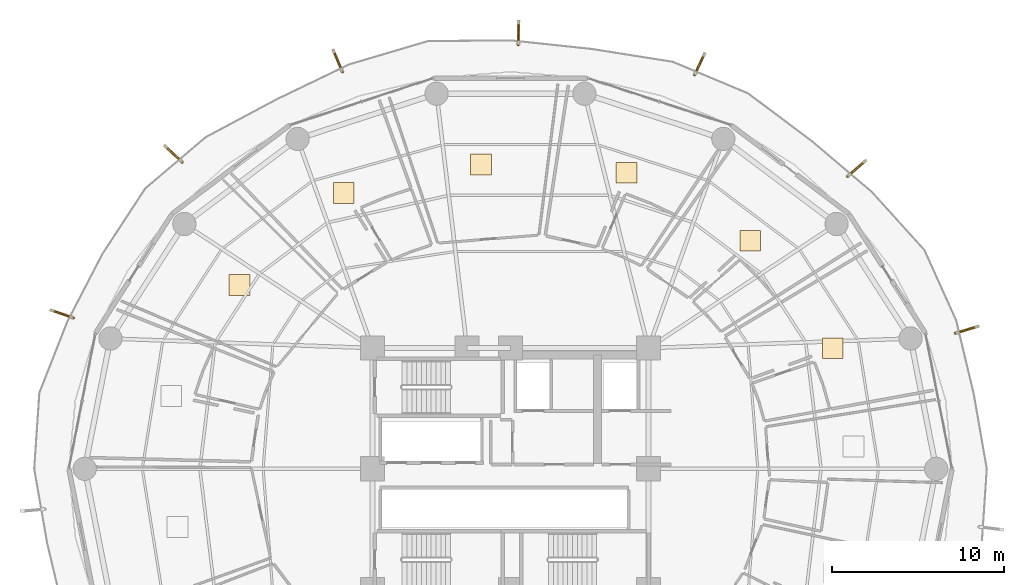
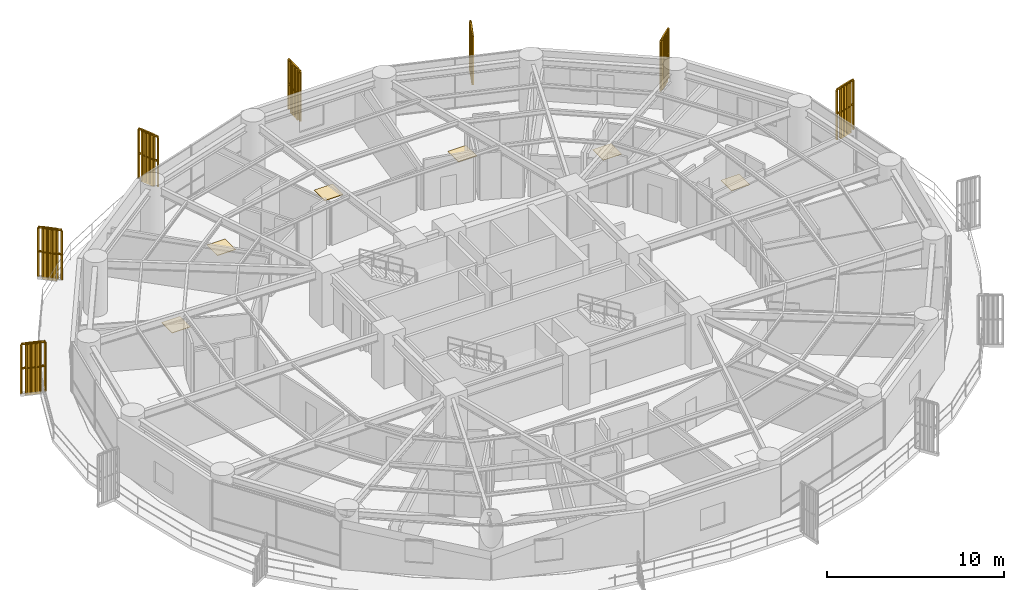
# One storey, part 33 of 33: 7 railings, 7 shading devices, 6 coverings.
"""IFC4 building model written with IfcOpenShell, lengths in metres."""

from ifc_helpers import new_model, si_unit, direction, frame, origin, origin_2d, place, context, subcontext, project, spatial, polyline, rectangle, outline, extrude, source, transform, mapped, material, layer, layer_set, type_object, element, save


model = new_model("IFC4")

# Units and contexts
model_context = context("Model", 3, precision=1e-05, world=origin(), true_north=direction((0.0, 1.0)))
body_context = subcontext(model_context, "Body", "Model", "MODEL_VIEW")
ifc_project = project(units=[si_unit("LENGTHUNIT", "METRE"), si_unit("AREAUNIT", "SQUARE_METRE"), si_unit("VOLUMEUNIT", "CUBIC_METRE"), si_unit("PLANEANGLEUNIT", "RADIAN"), si_unit("MASSUNIT", "GRAM", prefix="KILO")], contexts=[model_context])

# Site, building, storey
site_placement = place(None, origin())
site = spatial("IfcSite", under=ifc_project, at=site_placement, CompositionType="ELEMENT")
building_placement = place(site_placement, origin())
building = spatial("IfcBuilding", under=site, at=building_placement, Name="Kelanora Arch Commons", CompositionType="ELEMENT")
storey_placement = place(building_placement, frame((0.0, 0.0, 80.10009765625)))
storey = spatial("IfcBuildingStorey", under=building, at=storey_placement, Name="L20", CompositionType="ELEMENT", Elevation=80.10009765625)

# Railings
ifc_material_1 = material(Name="Anodised bronze vertical shading fin rib assembly")
railing_type = type_object("IfcRailingType", Name="RAIL-FIN-BRZ", PredefinedType="BALUSTRADE", material=ifc_material_1)
railing_1_placement = place(storey_placement, frame((93.5419921875, 74.955810546875, -0.02001953125)))
element("IfcRailing", 1, at=railing_1_placement, inside=storey, type_object=railing_type, Name="Sweeping Bronze Vertical Fin Blade L20-00", PredefinedType="BALUSTRADE", context=body_context, shape_type="SweptSolid", body=[
    extrude(outline(polyline([(0.06982421875, 0.0), (0.034912109375, 0.060546875), (-0.034912109375, 0.060546875), (-0.06982421875, 0.0), (-0.034912109375, -0.060546875), (0.034912109375, -0.060546875), (0.06982421875, 0.0)])), frame((0.0, 0.0, 3.419921875), z_axis=(0.755197189168, 0.655497677702, 0.0), x_axis=(-0.655497677702, 0.755197189168, 0.0)), (0.0, 0.0, 1.0), 1.376220703125),
    extrude(outline(polyline([(0.06982421875, 0.0), (0.034912109375, 0.060546875), (-0.034912109375, 0.060546875), (-0.06982421875, 0.0), (-0.034912109375, -0.060546875), (0.034912109375, -0.060546875), (0.06982421875, 0.0)])), frame((0.0, 0.0, 1.7451171875), z_axis=(0.755197189168, 0.655497677702, 0.0), x_axis=(-0.655497677702, 0.755197189168, 0.0)), (0.0, 0.0, 1.0), 1.376220703125),
    extrude(outline(polyline([(0.080078125, 0.0), (0.0400390625, 0.0693359375), (-0.0400390625, 0.0693359375), (-0.080078125, 0.0), (-0.0400390625, -0.0693359375), (0.0400390625, -0.0693359375), (0.080078125, 0.0)])), origin(), (0.0, 0.0, 1.0), 3.35009765625),
    extrude(outline(polyline([(0.080078125, 0.0), (0.0400390625, 0.0693359375), (-0.0400390625, 0.0693359375), (-0.080078125, 0.0), (-0.0400390625, -0.0693359375), (0.0400390625, -0.0693359375), (0.080078125, 0.0)])), frame((0.207763671875, 0.180419921875, 0.0)), (0.0, 0.0, 1.0), 3.35009765625),
    extrude(outline(polyline([(0.080078125, 0.0), (0.0400390625, 0.0693359375), (-0.0400390625, 0.0693359375), (-0.080078125, 0.0), (-0.0400390625, -0.0693359375), (0.0400390625, -0.0693359375), (0.080078125, 0.0)])), frame((0.415771484375, 0.36083984375, 0.0)), (0.0, 0.0, 1.0), 3.35009765625),
    extrude(outline(polyline([(0.080078125, 0.0), (0.0400390625, 0.0693359375), (-0.0400390625, 0.0693359375), (-0.080078125, 0.0), (-0.0400390625, -0.0693359375), (0.0400390625, -0.0693359375), (0.080078125, 0.0)])), frame((0.62353515625, 0.541259765625, 0.0)), (0.0, 0.0, 1.0), 3.35009765625),
    extrude(outline(polyline([(0.080078125, 0.0), (0.0400390625, 0.0693359375), (-0.0400390625, 0.0693359375), (-0.080078125, 0.0), (-0.0400390625, -0.0693359375), (0.0400390625, -0.0693359375), (0.080078125, 0.0)])), frame((0.83154296875, 0.7216796875, 0.0)), (0.0, 0.0, 1.0), 3.35009765625),
    extrude(outline(polyline([(0.080078125, 0.0), (0.0400390625, 0.0693359375), (-0.0400390625, 0.0693359375), (-0.080078125, 0.0), (-0.0400390625, -0.0693359375), (0.0400390625, -0.0693359375), (0.080078125, 0.0)])), frame((1.039306640625, 0.902099609375, 0.0)), (0.0, 0.0, 1.0), 3.35009765625),
])
railing_2_placement = place(storey_placement, frame((84.670654296875, 80.828125, -0.02001953125)))
element("IfcRailing", 2, at=railing_2_placement, inside=storey, type_object=railing_type, Name="Sweeping Bronze Vertical Fin Blade L20-01", PredefinedType="BALUSTRADE", context=body_context, shape_type="SweptSolid", body=[
    extrude(outline(polyline([(0.06982421875, 0.0), (0.034912109375, 0.060546875), (-0.034912109375, 0.060546875), (-0.06982421875, 0.0), (-0.034912109375, -0.060546875), (0.034912109375, -0.060546875), (0.06982421875, 0.0)])), frame((0.0, 0.0, 3.419921875), z_axis=(0.423429211615, 0.905929193012, 0.0), x_axis=(-0.905929193012, 0.423429211615, 0.0)), (0.0, 0.0, 1.0), 1.376220703125),
    extrude(outline(polyline([(0.06982421875, 0.0), (0.034912109375, 0.060546875), (-0.034912109375, 0.060546875), (-0.06982421875, 0.0), (-0.034912109375, -0.060546875), (0.034912109375, -0.060546875), (0.06982421875, 0.0)])), frame((0.0, 0.0, 1.7451171875), z_axis=(0.423429211615, 0.905929193012, 0.0), x_axis=(-0.905929193012, 0.423429211615, 0.0)), (0.0, 0.0, 1.0), 1.376220703125),
    extrude(outline(polyline([(0.080078125, 0.0), (0.0400390625, 0.0693359375), (-0.0400390625, 0.0693359375), (-0.080078125, 0.0), (-0.0400390625, -0.0693359375), (0.0400390625, -0.0693359375), (0.080078125, 0.0)])), origin(), (0.0, 0.0, 1.0), 3.35009765625),
    extrude(outline(polyline([(0.080078125, 0.0), (0.0400390625, 0.0693359375), (-0.0400390625, 0.0693359375), (-0.080078125, 0.0), (-0.0400390625, -0.0693359375), (0.0400390625, -0.0693359375), (0.080078125, 0.0)])), frame((0.116455078125, 0.249267578125, 0.0)), (0.0, 0.0, 1.0), 3.35009765625),
    extrude(outline(polyline([(0.080078125, 0.0), (0.0400390625, 0.0693359375), (-0.0400390625, 0.0693359375), (-0.080078125, 0.0), (-0.0400390625, -0.0693359375), (0.0400390625, -0.0693359375), (0.080078125, 0.0)])), frame((0.233154296875, 0.498779296875, 0.0)), (0.0, 0.0, 1.0), 3.35009765625),
    extrude(outline(polyline([(0.080078125, 0.0), (0.0400390625, 0.0693359375), (-0.0400390625, 0.0693359375), (-0.080078125, 0.0), (-0.0400390625, -0.0693359375), (0.0400390625, -0.0693359375), (0.080078125, 0.0)])), frame((0.349609375, 0.748046875, 0.0)), (0.0, 0.0, 1.0), 3.35009765625),
    extrude(outline(polyline([(0.080078125, 0.0), (0.0400390625, 0.0693359375), (-0.0400390625, 0.0693359375), (-0.080078125, 0.0), (-0.0400390625, -0.0693359375), (0.0400390625, -0.0693359375), (0.080078125, 0.0)])), frame((0.46630859375, 0.99755859375, 0.0)), (0.0, 0.0, 1.0), 3.35009765625),
    extrude(outline(polyline([(0.080078125, 0.0), (0.0400390625, 0.0693359375), (-0.0400390625, 0.0693359375), (-0.080078125, 0.0), (-0.0400390625, -0.0693359375), (0.0400390625, -0.0693359375), (0.080078125, 0.0)])), frame((0.582763671875, 1.246826171875, 0.0)), (0.0, 0.0, 1.0), 3.35009765625),
])
railing_3_placement = place(storey_placement, frame((74.45166015625, 82.572998046875, -0.02001953125)))
element("IfcRailing", 3, at=railing_3_placement, inside=storey, type_object=railing_type, Name="Sweeping Bronze Vertical Fin Blade L20-02", PredefinedType="BALUSTRADE", context=body_context, shape_type="SweptSolid", body=[
    extrude(outline(polyline([(0.06982421875, 0.0), (0.034912109375, 0.060546875), (-0.034912109375, 0.060546875), (-0.06982421875, 0.0), (-0.034912109375, -0.060546875), (0.034912109375, -0.060546875), (0.06982421875, 0.0)])), frame((0.0, 0.0, 3.419921875), z_axis=(0.018275563045, 0.999832987951, 0.0), x_axis=(-0.999832987951, 0.018275563045, 0.0)), (0.0, 0.0, 1.0), 1.3759765625),
    extrude(outline(polyline([(0.06982421875, 0.0), (0.034912109375, 0.060546875), (-0.034912109375, 0.060546875), (-0.06982421875, 0.0), (-0.034912109375, -0.060546875), (0.034912109375, -0.060546875), (0.06982421875, 0.0)])), frame((0.0, 0.0, 1.7451171875), z_axis=(0.018275563045, 0.999832987951, 0.0), x_axis=(-0.999832987951, 0.018275563045, 0.0)), (0.0, 0.0, 1.0), 1.3759765625),
    extrude(outline(polyline([(0.080078125, 0.0), (0.0400390625, 0.0693359375), (-0.0400390625, 0.0693359375), (-0.080078125, 0.0), (-0.0400390625, -0.0693359375), (0.0400390625, -0.0693359375), (0.080078125, 0.0)])), origin(), (0.0, 0.0, 1.0), 3.35009765625),
    extrude(outline(polyline([(0.080078125, 0.0), (0.0400390625, 0.0693359375), (-0.0400390625, 0.0693359375), (-0.080078125, 0.0), (-0.0400390625, -0.0693359375), (0.0400390625, -0.0693359375), (0.080078125, 0.0)])), frame((0.005126953125, 0.275146484375, 0.0)), (0.0, 0.0, 1.0), 3.35009765625),
    extrude(outline(polyline([(0.080078125, 0.0), (0.0400390625, 0.0693359375), (-0.0400390625, 0.0693359375), (-0.080078125, 0.0), (-0.0400390625, -0.0693359375), (0.0400390625, -0.0693359375), (0.080078125, 0.0)])), frame((0.010009765625, 0.55029296875, 0.0)), (0.0, 0.0, 1.0), 3.35009765625),
    extrude(outline(polyline([(0.080078125, 0.0), (0.0400390625, 0.0693359375), (-0.0400390625, 0.0693359375), (-0.080078125, 0.0), (-0.0400390625, -0.0693359375), (0.0400390625, -0.0693359375), (0.080078125, 0.0)])), frame((0.01513671875, 0.825439453125, 0.0)), (0.0, 0.0, 1.0), 3.35009765625),
    extrude(outline(polyline([(0.080078125, 0.0), (0.0400390625, 0.0693359375), (-0.0400390625, 0.0693359375), (-0.080078125, 0.0), (-0.0400390625, -0.0693359375), (0.0400390625, -0.0693359375), (0.080078125, 0.0)])), frame((0.02001953125, 1.1005859375, 0.0)), (0.0, 0.0, 1.0), 3.35009765625),
    extrude(outline(polyline([(0.080078125, 0.0), (0.0400390625, 0.0693359375), (-0.0400390625, 0.0693359375), (-0.080078125, 0.0), (-0.0400390625, -0.0693359375), (0.0400390625, -0.0693359375), (0.080078125, 0.0)])), frame((0.025146484375, 1.375732421875, 0.0)), (0.0, 0.0, 1.0), 3.35009765625),
])
railing_4_placement = place(storey_placement, frame((64.2568359375, 81.0126953125, -0.02001953125)))
element("IfcRailing", 4, at=railing_4_placement, inside=storey, type_object=railing_type, Name="Sweeping Bronze Vertical Fin Blade L20-03", PredefinedType="BALUSTRADE", context=body_context, shape_type="SweptSolid", body=[
    extrude(outline(polyline([(0.06982421875, 0.0), (0.034912109375, 0.060546875), (-0.034912109375, 0.060546875), (-0.06982421875, 0.0), (-0.034912109375, -0.060546875), (0.034912109375, -0.060546875), (0.06982421875, 0.0)])), frame((0.0, 0.0, 3.419921875), z_axis=(-0.389911963105, 0.920852138526, 0.0), x_axis=(-0.920852138526, -0.389911963105, 0.0)), (0.0, 0.0, 1.0), 1.376220703125),
    extrude(outline(polyline([(0.06982421875, 0.0), (0.034912109375, 0.060546875), (-0.034912109375, 0.060546875), (-0.06982421875, 0.0), (-0.034912109375, -0.060546875), (0.034912109375, -0.060546875), (0.06982421875, 0.0)])), frame((0.0, 0.0, 1.7451171875), z_axis=(-0.389911963105, 0.920852138526, 0.0), x_axis=(-0.920852138526, -0.389911963105, 0.0)), (0.0, 0.0, 1.0), 1.376220703125),
    extrude(outline(polyline([(0.080078125, 0.0), (0.0400390625, 0.0693359375), (-0.0400390625, 0.0693359375), (-0.080078125, 0.0), (-0.0400390625, -0.0693359375), (0.0400390625, -0.0693359375), (0.080078125, 0.0)])), origin(), (0.0, 0.0, 1.0), 3.35009765625),
    extrude(outline(polyline([(0.080078125, 0.0), (0.0400390625, 0.0693359375), (-0.0400390625, 0.0693359375), (-0.080078125, 0.0), (-0.0400390625, -0.0693359375), (0.0400390625, -0.0693359375), (0.080078125, 0.0)])), frame((-0.107421875, 0.25341796875, 0.0)), (0.0, 0.0, 1.0), 3.35009765625),
    extrude(outline(polyline([(0.080078125, 0.0), (0.0400390625, 0.0693359375), (-0.0400390625, 0.0693359375), (-0.080078125, 0.0), (-0.0400390625, -0.0693359375), (0.0400390625, -0.0693359375), (0.080078125, 0.0)])), frame((-0.214599609375, 0.5068359375, 0.0)), (0.0, 0.0, 1.0), 3.35009765625),
    extrude(outline(polyline([(0.080078125, 0.0), (0.0400390625, 0.0693359375), (-0.0400390625, 0.0693359375), (-0.080078125, 0.0), (-0.0400390625, -0.0693359375), (0.0400390625, -0.0693359375), (0.080078125, 0.0)])), frame((-0.322021484375, 0.760498046875, 0.0)), (0.0, 0.0, 1.0), 3.35009765625),
    extrude(outline(polyline([(0.080078125, 0.0), (0.0400390625, 0.0693359375), (-0.0400390625, 0.0693359375), (-0.080078125, 0.0), (-0.0400390625, -0.0693359375), (0.0400390625, -0.0693359375), (0.080078125, 0.0)])), frame((-0.42919921875, 1.013916015625, 0.0)), (0.0, 0.0, 1.0), 3.35009765625),
    extrude(outline(polyline([(0.080078125, 0.0), (0.0400390625, 0.0693359375), (-0.0400390625, 0.0693359375), (-0.080078125, 0.0), (-0.0400390625, -0.0693359375), (0.0400390625, -0.0693359375), (0.080078125, 0.0)])), frame((-0.53662109375, 1.267333984375, 0.0)), (0.0, 0.0, 1.0), 3.35009765625),
])
railing_5_placement = place(storey_placement, frame((54.9677734375, 75.781005859375, -0.02001953125)))
element("IfcRailing", 5, at=railing_5_placement, inside=storey, type_object=railing_type, Name="Sweeping Bronze Vertical Fin Blade L20-04", PredefinedType="BALUSTRADE", context=body_context, shape_type="SweptSolid", body=[
    extrude(outline(polyline([(0.06982421875, 0.0), (0.034912109375, 0.060546875), (-0.034912109375, 0.060546875), (-0.06982421875, 0.0), (-0.034912109375, -0.060546875), (0.034912109375, -0.060546875), (0.06982421875, 0.0)])), frame((0.0, 0.0, 3.419921875), z_axis=(-0.730736615698, 0.682659504056, 0.0), x_axis=(-0.682659504056, -0.730736615698, 0.0)), (0.0, 0.0, 1.0), 1.376220703125),
    extrude(outline(polyline([(0.06982421875, 0.0), (0.034912109375, 0.060546875), (-0.034912109375, 0.060546875), (-0.06982421875, 0.0), (-0.034912109375, -0.060546875), (0.034912109375, -0.060546875), (0.06982421875, 0.0)])), frame((0.0, 0.0, 1.7451171875), z_axis=(-0.730736615698, 0.682659504056, 0.0), x_axis=(-0.682659504056, -0.730736615698, 0.0)), (0.0, 0.0, 1.0), 1.376220703125),
    extrude(outline(polyline([(0.080078125, 0.0), (0.0400390625, 0.0693359375), (-0.0400390625, 0.0693359375), (-0.080078125, 0.0), (-0.0400390625, -0.0693359375), (0.0400390625, -0.0693359375), (0.080078125, 0.0)])), origin(), (0.0, 0.0, 1.0), 3.35009765625),
    extrude(outline(polyline([(0.080078125, 0.0), (0.0400390625, 0.0693359375), (-0.0400390625, 0.0693359375), (-0.080078125, 0.0), (-0.0400390625, -0.0693359375), (0.0400390625, -0.0693359375), (0.080078125, 0.0)])), frame((-0.201171875, 0.18798828125, 0.0)), (0.0, 0.0, 1.0), 3.35009765625),
    extrude(outline(polyline([(0.080078125, 0.0), (0.0400390625, 0.0693359375), (-0.0400390625, 0.0693359375), (-0.080078125, 0.0), (-0.0400390625, -0.0693359375), (0.0400390625, -0.0693359375), (0.080078125, 0.0)])), frame((-0.40234375, 0.375732421875, 0.0)), (0.0, 0.0, 1.0), 3.35009765625),
    extrude(outline(polyline([(0.080078125, 0.0), (0.0400390625, 0.0693359375), (-0.0400390625, 0.0693359375), (-0.080078125, 0.0), (-0.0400390625, -0.0693359375), (0.0400390625, -0.0693359375), (0.080078125, 0.0)])), frame((-0.603271484375, 0.563720703125, 0.0)), (0.0, 0.0, 1.0), 3.35009765625),
    extrude(outline(polyline([(0.080078125, 0.0), (0.0400390625, 0.0693359375), (-0.0400390625, 0.0693359375), (-0.080078125, 0.0), (-0.0400390625, -0.0693359375), (0.0400390625, -0.0693359375), (0.080078125, 0.0)])), frame((-0.804443359375, 0.75146484375, 0.0)), (0.0, 0.0, 1.0), 3.35009765625),
    extrude(outline(polyline([(0.080078125, 0.0), (0.0400390625, 0.0693359375), (-0.0400390625, 0.0693359375), (-0.080078125, 0.0), (-0.0400390625, -0.0693359375), (0.0400390625, -0.0693359375), (0.080078125, 0.0)])), frame((-1.005615234375, 0.939453125, 0.0)), (0.0, 0.0, 1.0), 3.35009765625),
])
railing_6_placement = place(storey_placement, frame((48.665771484375, 66.74951171875, -0.02001953125)))
element("IfcRailing", 6, at=railing_6_placement, inside=storey, type_object=railing_type, Name="Sweeping Bronze Vertical Fin Blade L20-05", PredefinedType="BALUSTRADE", context=body_context, shape_type="SweptSolid", body=[
    extrude(outline(polyline([(0.06982421875, 0.0), (0.034912109375, 0.060546875), (-0.034912109375, 0.060546875), (-0.06982421875, 0.0), (-0.034912109375, -0.060546875), (0.034912109375, -0.060546875), (0.06982421875, 0.0)])), frame((0.0, 0.0, 3.419921875), z_axis=(-0.945222056604, 0.326428037566, 0.0), x_axis=(-0.326428037566, -0.945222056604, 0.0)), (0.0, 0.0, 1.0), 1.376220703125),
    extrude(outline(polyline([(0.06982421875, 0.0), (0.034912109375, 0.060546875), (-0.034912109375, 0.060546875), (-0.06982421875, 0.0), (-0.034912109375, -0.060546875), (0.034912109375, -0.060546875), (0.06982421875, 0.0)])), frame((0.0, 0.0, 1.7451171875), z_axis=(-0.945222056604, 0.326428037566, 0.0), x_axis=(-0.326428037566, -0.945222056604, 0.0)), (0.0, 0.0, 1.0), 1.376220703125),
    extrude(outline(polyline([(0.080078125, 0.0), (0.0400390625, 0.0693359375), (-0.0400390625, 0.0693359375), (-0.080078125, 0.0), (-0.0400390625, -0.0693359375), (0.0400390625, -0.0693359375), (0.080078125, 0.0)])), origin(), (0.0, 0.0, 1.0), 3.35009765625),
    extrude(outline(polyline([(0.080078125, 0.0), (0.0400390625, 0.0693359375), (-0.0400390625, 0.0693359375), (-0.080078125, 0.0), (-0.0400390625, -0.0693359375), (0.0400390625, -0.0693359375), (0.080078125, 0.0)])), frame((-0.26025390625, 0.08984375, 0.0)), (0.0, 0.0, 1.0), 3.35009765625),
    extrude(outline(polyline([(0.080078125, 0.0), (0.0400390625, 0.0693359375), (-0.0400390625, 0.0693359375), (-0.080078125, 0.0), (-0.0400390625, -0.0693359375), (0.0400390625, -0.0693359375), (0.080078125, 0.0)])), frame((-0.520263671875, 0.1796875, 0.0)), (0.0, 0.0, 1.0), 3.35009765625),
    extrude(outline(polyline([(0.080078125, 0.0), (0.0400390625, 0.0693359375), (-0.0400390625, 0.0693359375), (-0.080078125, 0.0), (-0.0400390625, -0.0693359375), (0.0400390625, -0.0693359375), (0.080078125, 0.0)])), frame((-0.780517578125, 0.26953125, 0.0)), (0.0, 0.0, 1.0), 3.35009765625),
    extrude(outline(polyline([(0.080078125, 0.0), (0.0400390625, 0.0693359375), (-0.0400390625, 0.0693359375), (-0.080078125, 0.0), (-0.0400390625, -0.0693359375), (0.0400390625, -0.0693359375), (0.080078125, 0.0)])), frame((-1.04052734375, 0.359375, 0.0)), (0.0, 0.0, 1.0), 3.35009765625),
    extrude(outline(polyline([(0.080078125, 0.0), (0.0400390625, 0.0693359375), (-0.0400390625, 0.0693359375), (-0.080078125, 0.0), (-0.0400390625, -0.0693359375), (0.0400390625, -0.0693359375), (0.080078125, 0.0)])), frame((-1.30078125, 0.44921875, 0.0)), (0.0, 0.0, 1.0), 3.35009765625),
])
railing_7_placement = place(storey_placement, frame((99.7900390625, 65.85888671875, -0.02001953125)))
element("IfcRailing", 7, at=railing_7_placement, inside=storey, type_object=railing_type, Name="Sweeping Bronze Vertical Fin Blade L20-14", PredefinedType="BALUSTRADE", context=body_context, shape_type="SweptSolid", body=[
    extrude(outline(polyline([(0.06982421875, 0.0), (0.034912109375, 0.060546875), (-0.034912109375, 0.060546875), (-0.06982421875, 0.0), (-0.034912109375, -0.060546875), (0.034912109375, -0.060546875), (0.06982421875, 0.0)])), frame((0.0, 0.0, 3.419921875), z_axis=(0.956592212751, 0.291429817458, 0.0), x_axis=(-0.291429817458, 0.956592212751, 0.0)), (0.0, 0.0, 1.0), 1.37646484375),
    extrude(outline(polyline([(0.06982421875, 0.0), (0.034912109375, 0.060546875), (-0.034912109375, 0.060546875), (-0.06982421875, 0.0), (-0.034912109375, -0.060546875), (0.034912109375, -0.060546875), (0.06982421875, 0.0)])), frame((0.0, 0.0, 1.7451171875), z_axis=(0.956592212751, 0.291429817458, 0.0), x_axis=(-0.291429817458, 0.956592212751, 0.0)), (0.0, 0.0, 1.0), 1.37646484375),
    extrude(outline(polyline([(0.080078125, 0.0), (0.0400390625, 0.0693359375), (-0.0400390625, 0.0693359375), (-0.080078125, 0.0), (-0.0400390625, -0.0693359375), (0.0400390625, -0.0693359375), (0.080078125, 0.0)])), origin(), (0.0, 0.0, 1.0), 3.35009765625),
    extrude(outline(polyline([(0.080078125, 0.0), (0.0400390625, 0.0693359375), (-0.0400390625, 0.0693359375), (-0.080078125, 0.0), (-0.0400390625, -0.0693359375), (0.0400390625, -0.0693359375), (0.080078125, 0.0)])), frame((0.263427734375, 0.080322265625, 0.0)), (0.0, 0.0, 1.0), 3.35009765625),
    extrude(outline(polyline([(0.080078125, 0.0), (0.0400390625, 0.0693359375), (-0.0400390625, 0.0693359375), (-0.080078125, 0.0), (-0.0400390625, -0.0693359375), (0.0400390625, -0.0693359375), (0.080078125, 0.0)])), frame((0.526611328125, 0.160400390625, 0.0)), (0.0, 0.0, 1.0), 3.35009765625),
    extrude(outline(polyline([(0.080078125, 0.0), (0.0400390625, 0.0693359375), (-0.0400390625, 0.0693359375), (-0.080078125, 0.0), (-0.0400390625, -0.0693359375), (0.0400390625, -0.0693359375), (0.080078125, 0.0)])), frame((0.7900390625, 0.24072265625, 0.0)), (0.0, 0.0, 1.0), 3.35009765625),
    extrude(outline(polyline([(0.080078125, 0.0), (0.0400390625, 0.0693359375), (-0.0400390625, 0.0693359375), (-0.080078125, 0.0), (-0.0400390625, -0.0693359375), (0.0400390625, -0.0693359375), (0.080078125, 0.0)])), frame((1.05322265625, 0.32080078125, 0.0)), (0.0, 0.0, 1.0), 3.35009765625),
    extrude(outline(polyline([(0.080078125, 0.0), (0.0400390625, 0.0693359375), (-0.0400390625, 0.0693359375), (-0.080078125, 0.0), (-0.0400390625, -0.0693359375), (0.0400390625, -0.0693359375), (0.080078125, 0.0)])), frame((1.316650390625, 0.401123046875, 0.0)), (0.0, 0.0, 1.0), 3.35009765625),
])

# Shading devices
ifc_material_2 = material(Name="Terracotta ceramic-clad extruded aluminium fin", Category="masonry")
shading_device_type = type_object("IfcShadingDeviceType", Name="SHD-FIN-FLARE", PredefinedType="USERDEFINED", material=ifc_material_2)
shared_shape_1 = source(origin(), body_context, "Body", "SweptSolid", [
    extrude(rectangle(XDim=0.8798828125, YDim=0.090087890625, at=origin_2d()), origin(), (0.0, 0.0, 1.0), 3.610107421875),
])
for number, where, z_axis, x_axis, name in (
    (8, (94.085693359375, 75.427734375, -0.14013671875), (0.0, 0.0, 1.0), (0.755281812285, 0.655400170912, 0.0), "Sweeping Terracotta Fin L20-00"),
    (9, (84.9755859375, 81.48046875, -0.14013671875), (0.0, 0.0, 1.0), (0.423409003465, 0.90593863798, 0.0), "Sweeping Terracotta Fin L20-01"),
    (10, (74.46484375, 83.292724609375, -0.14013671875), (0.0, 0.0, 1.0), (0.018324931396, 0.999832084347, 0.0), "Sweeping Terracotta Fin L20-02"),
    (11, (63.97607421875, 81.67578125, -0.14013671875), (0.0, 0.0, 1.0), (-0.389927687788, 0.920845480141, 0.0), "Sweeping Terracotta Fin L20-03"),
    (12, (54.441650390625, 76.2724609375, -0.14013671875), (0.0, 0.0, 1.0), (-0.730758267372, 0.6826363268, 0.0), "Sweeping Terracotta Fin L20-04"),
    (13, (47.985107421875, 66.984619140625, -0.14013671875), (0.0, 0.0, 1.0), (-0.945234103797, 0.326393150999, 0.0), "Sweeping Terracotta Fin L20-05"),
    (14, (100.47900390625, 66.068603515625, -0.14013671875), (0.0, 0.0, 1.0), (0.956559534241, 0.29153706017, 0.0), "Sweeping Terracotta Fin L20-14"),
):
    element("IfcShadingDevice", number, at=place(storey_placement, frame(where, z_axis=z_axis, x_axis=x_axis)), inside=storey, type_object=shading_device_type, Name=name, ObjectType="FIN", PredefinedType="USERDEFINED", context=body_context, shape_type="MappedRepresentation", body=[
        mapped(shared_shape_1, transform((0.0, 0.0, 0.0), scale=1.0)),
    ])

# Coverings
ifc_material_3 = material(Name="Polished local granite terrazzo flooring", Category="masonry")
ifc_layer = layer(ifc_material_3, 0.030029296875)
ifc_layer_set = layer_set([ifc_layer], Name="Polished local granite terrazzo flooring")
covering_type = type_object("IfcCoveringType", Name="COV-FLR-TER", PredefinedType="FLOORING", material=ifc_layer_set)
shared_shape_2 = source(origin(), body_context, "Body", "SweptSolid", [
    extrude(rectangle(XDim=1.199951171875, YDim=1.199951171875, at=origin_2d()), origin(), (0.0, 0.0, 1.0), 0.030029296875),
])
for number, where, z_axis, x_axis, name in (
    (15, (92.67578125, 64.986572265625, 0.0), (0.0, 0.0, 1.0), (1.0, 0.0, 0.0), "Co-Living Studio L20-01 Terrazzo Finish"),
    (16, (87.904296875, 71.218017578125, 0.0), (0.0, 0.0, 1.0), (1.0, 0.0, 0.0), "Co-Living Studio L20-02 Terrazzo Finish"),
    (17, (80.728759765625, 75.163818359375, 0.0), (0.0, 0.0, 1.0), (1.0, 0.0, 0.0), "Co-Living Studio L20-03 Terrazzo Finish"),
    (18, (72.285888671875, 75.637451171875, 0.0), (0.0, 0.0, 1.0), (1.0, 0.0, 0.0), "Communal Dining and Social Hall L20-04 Terrazzo Finish"),
    (19, (64.3291015625, 73.983154296875, 0.0), (0.0, 0.0, 1.0), (1.0, 0.0, 0.0), "Co-Living Studio L20-05 Terrazzo Finish"),
    (20, (58.2939453125, 68.6552734375, 0.0), (0.0, 0.0, 1.0), (1.0, 0.0, 0.0), "Social Sky Lounge L20-06 Terrazzo Finish"),
):
    element("IfcCovering", number, at=place(storey_placement, frame(where, z_axis=z_axis, x_axis=x_axis)), inside=storey, type_object=covering_type, Name=name, PredefinedType="FLOORING", context=body_context, shape_type="MappedRepresentation", body=[
        mapped(shared_shape_2, transform((0.0, 0.0, 0.0), scale=1.0)),
    ])

save(model, "model.ifc")
